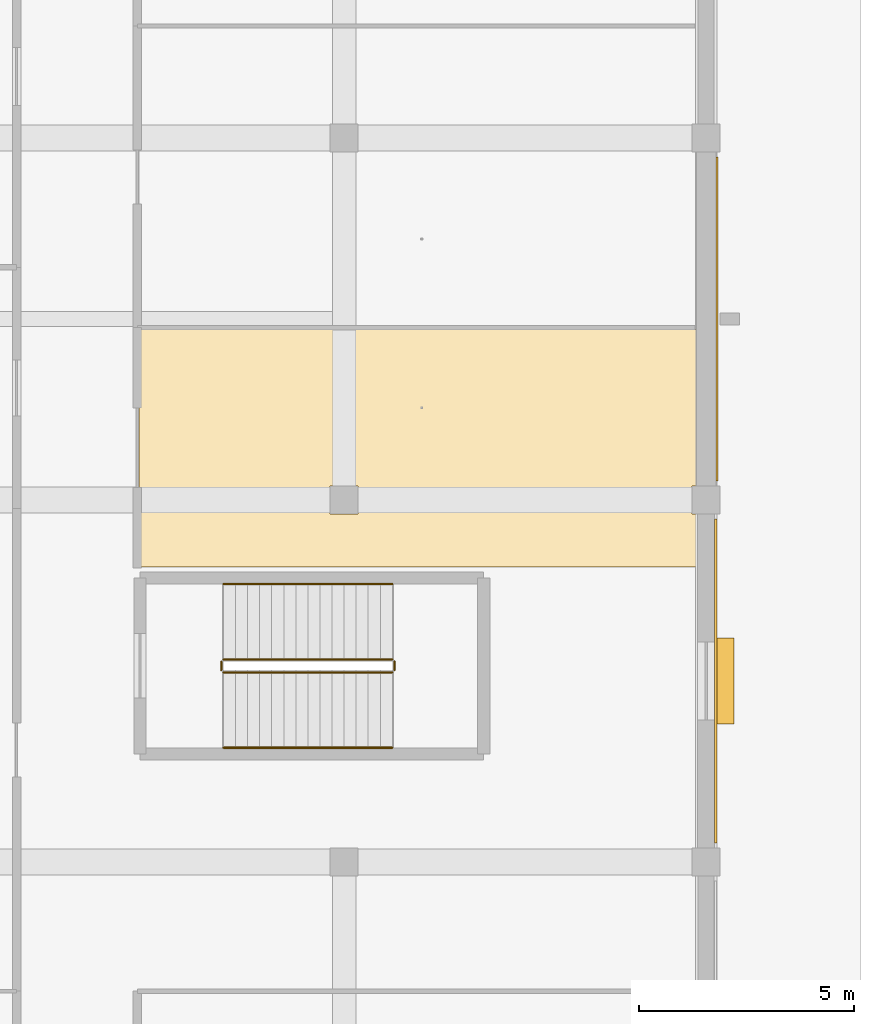
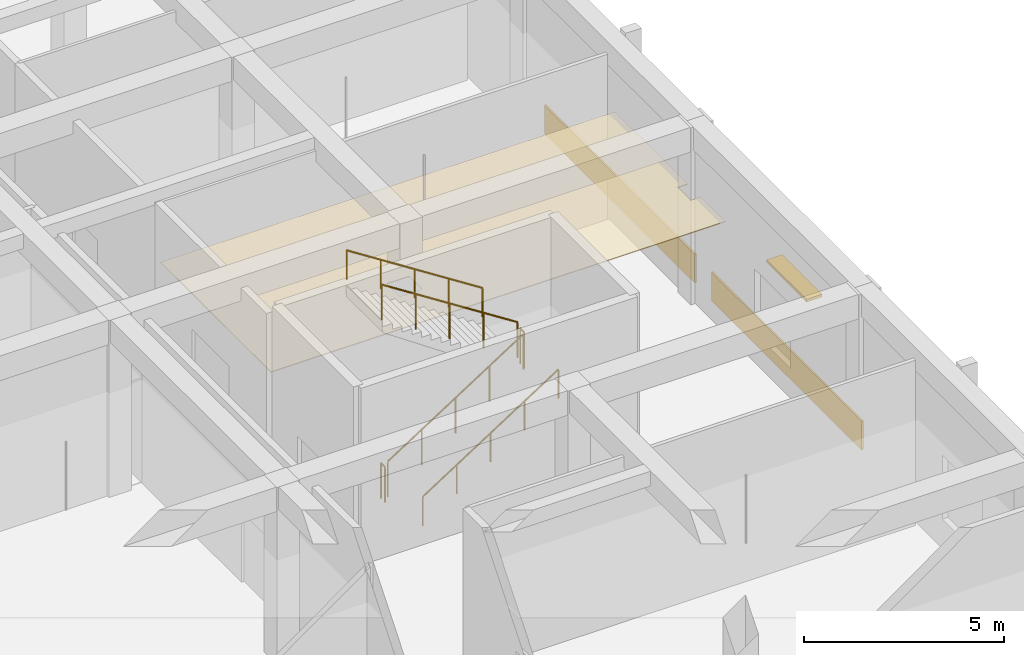
# One storey, part 160 of 167: 6 railings, 3 coverings, 1 shading device.
"""IFC4 building model written with IfcOpenShell, lengths in metres."""

from ifc_helpers import new_model, si_unit, direction, frame, origin, origin_2d, place, context, subcontext, project, spatial, polyline, rectangle, circle, outline, extrude, material, layer, layer_set, type_object, element, save


model = new_model("IFC4")

# Units and contexts
model_context = context("Model", 3, precision=1e-05, world=origin(), true_north=direction((0.0, 1.0)))
body_context = subcontext(model_context, "Body", "Model", "MODEL_VIEW")
ifc_project = project(units=[si_unit("LENGTHUNIT", "METRE"), si_unit("AREAUNIT", "SQUARE_METRE"), si_unit("VOLUMEUNIT", "CUBIC_METRE"), si_unit("PLANEANGLEUNIT", "RADIAN"), si_unit("MASSUNIT", "GRAM", prefix="KILO")], contexts=[model_context])

# Site, building, storey
site_placement = place(None, origin())
site = spatial("IfcSite", under=ifc_project, at=site_placement, CompositionType="ELEMENT")
building_placement = place(site_placement, origin())
building = spatial("IfcBuilding", under=site, at=building_placement, Name="Varncliffe General Hospital", CompositionType="ELEMENT")
storey_placement = place(building_placement, origin())
storey = spatial("IfcBuildingStorey", under=building, at=storey_placement, Name="L00", CompositionType="ELEMENT", Elevation=0.0)

# Covering
ifc_material_1 = material(Name="Hygienic antimicrobial acoustic suspended ceiling tile", Category="gypsum")
ifc_layer_1 = layer(ifc_material_1, 0.02490234375)
ifc_layer_set_1 = layer_set([ifc_layer_1], Name="Hygienic antimicrobial acoustic suspended ceiling tile")
covering_type_1 = type_object("IfcCoveringType", Name="Antimicrobial Acoustic Suspended Ceiling CLG44", PredefinedType="CEILING", material=ifc_layer_set_1)
covering_placement = place(storey_placement, frame((0.0, 0.0, 3.175048828125)))
element("IfcCovering", 1, at=covering_placement, inside=storey, type_object=covering_type_1, Name="L00 Outpatient Consultation and Exam Clinic 101 Suspended Ceiling", PredefinedType="CEILING", context=body_context, shape_type="SweptSolid", body=[
    extrude(outline(polyline([(176.360107421875, 22.43994140625), (163.239990234375, 22.43994140625), (163.239990234375, 27.9599609375), (176.360107421875, 27.9599609375), (176.360107421875, 24.324951171875), (176.074951171875, 24.324951171875), (176.074951171875, 23.675048828125), (176.360107421875, 23.675048828125), (176.360107421875, 22.43994140625)]), holes=[polyline([(168.324951171875, 23.675048828125), (168.324951171875, 24.324951171875), (167.675048828125, 24.324951171875), (167.675048828125, 23.675048828125), (168.324951171875, 23.675048828125)])]), origin(), (0.0, 0.0, 1.0), 0.02490234375),
])

# Shading device
ifc_material_2 = material(Name="Dark bronze extruded aluminium solar jalousie louvres", Category="aluminium")
ifc_layer_2 = layer(ifc_material_2, 0.080078125)
ifc_layer_set_2 = layer_set([ifc_layer_2], Name="Dark bronze extruded aluminium solar jalousie louvres")
shading_device_type = type_object("IfcShadingDeviceType", Name="Bronze Solar Jalousie Louvre Hood SHD18", PredefinedType="JALOUSIE", material=ifc_layer_set_2)
shading_device_placement = place(storey_placement, frame((176.824951171875, 19.800048828125, 2.85986328125), z_axis=(0.0, 0.0, 1.0), x_axis=(0.0, -1.0, 0.0)))
element("IfcShadingDevice", 2, at=shading_device_placement, inside=storey, type_object=shading_device_type, Name="L00 Bronze Window Sun-Shading Louvre 6", PredefinedType="JALOUSIE", context=body_context, shape_type="SweptSolid", body=[
    extrude(rectangle(XDim=2.0, YDim=0.449951171875, at=origin_2d()), origin(), (0.0, 0.0, 1.0), 0.080078125),
])

# Coverings
ifc_material_3 = material(Name="Credit Valley buff limestone ashlar cladding", Category="masonry")
ifc_layer_3 = layer(ifc_material_3, 0.050048828125)
ifc_layer_set_3 = layer_set([ifc_layer_3], Name="Credit Valley buff limestone ashlar cladding")
covering_type_2 = type_object("IfcCoveringType", Name="Credit Valley Limestone Ashlar Plinth Cladding CLD17", PredefinedType="CLADDING", material=ifc_layer_set_3)
for number, where, z_axis, x_axis, name in (
    (3, (176.64990234375, 28.199951171875, 0.010009765625), (0.0, 0.0, 1.0), (0.0, -1.0, 0.0), "L00 Limestone Base Cladding 31"),
    (4, (176.625, 19.800048828125, 0.010009765625), (0.0, 0.0, 1.0), (0.0, -1.0, 0.0), "L00 Limestone Base Cladding 32"),
):
    element("IfcCovering", number, at=place(storey_placement, frame(where, z_axis=z_axis, x_axis=x_axis)), inside=storey, type_object=covering_type_2, Name=name, PredefinedType="CLADDING", context=body_context, shape_type="SweptSolid", body=[
        extrude(rectangle(XDim=7.513916015625, YDim=0.050048828125, at=origin_2d()), origin(), (0.0, 0.0, 1.0), 0.8798828125),
    ])

# Railings
ifc_material_4 = material(Name="Powder-coated hospital steel guardrail and handrail", Category="steel")
railing_type_1 = type_object("IfcRailingType", Name="Stair and Ramp Handrail HR46", PredefinedType="HANDRAIL", material=ifc_material_4)
railing_1_placement = place(storey_placement, frame((165.199951171875, 18.25, 0.364013671875)))
element("IfcRailing", 5, at=railing_1_placement, inside=storey, type_object=railing_type_1, Name="L00 ST11 stair handrail 1", PredefinedType="HANDRAIL", context=body_context, shape_type="SweptSolid", body=[
    extrude(circle(Radius=0.02392578125, at=origin_2d()), frame((0.0, 0.0, 0.8759765625), z_axis=(0.841186985886, 0.0, 0.540744352514), x_axis=(0.0, 1.0, 0.0)), (0.0, 0.0, 1.0), 4.660400390625),
    extrude(circle(Radius=0.02099609375, at=origin_2d()), origin(), (0.0, 0.0, 1.0), 0.851806640625),
    extrude(circle(Radius=0.02099609375, at=origin_2d()), frame((0.97998046875, 0.0, 0.6298828125)), (0.0, 0.0, 1.0), 0.851806640625),
    extrude(circle(Radius=0.02099609375, at=origin_2d()), frame((1.9599609375, 0.0, 1.260009765625)), (0.0, 0.0, 1.0), 0.851806640625),
    extrude(circle(Radius=0.02099609375, at=origin_2d()), frame((2.940185546875, 0.0, 1.89013671875)), (0.0, 0.0, 1.0), 0.851806640625),
    extrude(circle(Radius=0.02099609375, at=origin_2d()), frame((3.920166015625, 0.0, 2.52001953125)), (0.0, 0.0, 1.0), 0.851806640625),
])
railing_2_placement = place(storey_placement, frame((169.1201171875, 22.050048828125, 3.06396484375)))
element("IfcRailing", 6, at=railing_2_placement, inside=storey, type_object=railing_type_1, Name="L00 ST11 stair handrail 2", PredefinedType="HANDRAIL", context=body_context, shape_type="SweptSolid", body=[
    extrude(circle(Radius=0.02392578125, at=origin_2d()), frame((0.0, 0.0, 0.8759765625), z_axis=(-0.841186985886, 0.0, 0.540744352514), x_axis=(0.0, -1.0, 0.0)), (0.0, 0.0, 1.0), 4.660400390625),
    extrude(circle(Radius=0.02099609375, at=origin_2d()), origin(), (0.0, 0.0, 1.0), 0.851806640625),
    extrude(circle(Radius=0.02099609375, at=origin_2d()), frame((-0.97998046875, 0.0, 0.6298828125)), (0.0, 0.0, 1.0), 0.851806640625),
    extrude(circle(Radius=0.02099609375, at=origin_2d()), frame((-1.9599609375, 0.0, 1.260009765625)), (0.0, 0.0, 1.0), 0.851806640625),
    extrude(circle(Radius=0.02099609375, at=origin_2d()), frame((-2.940185546875, 0.0, 1.89013671875)), (0.0, 0.0, 1.0), 0.851806640625),
    extrude(circle(Radius=0.02099609375, at=origin_2d()), frame((-3.920166015625, 0.0, 2.52001953125)), (0.0, 0.0, 1.0), 0.851806640625),
])
railing_type_2 = type_object("IfcRailingType", Name="Stairwell Guardrail SG49", PredefinedType="GUARDRAIL", material=ifc_material_4)
railing_3_placement = place(storey_placement, frame((165.199951171875, 20.0, 0.179931640625)))
element("IfcRailing", 7, at=railing_3_placement, inside=storey, type_object=railing_type_2, Name="L00 ST11 stair guard 1", PredefinedType="GUARDRAIL", context=body_context, shape_type="SweptSolid", body=[
    extrude(circle(Radius=0.02392578125, at=origin_2d()), frame((0.0, 0.0, 1.076171875), z_axis=(0.841186985886, 0.0, 0.540744352514), x_axis=(0.0, 1.0, 0.0)), (0.0, 0.0, 1.0), 4.660400390625),
    extrude(circle(Radius=0.02099609375, at=origin_2d()), origin(), (0.0, 0.0, 1.0), 1.052001953125),
    extrude(circle(Radius=0.02099609375, at=origin_2d()), frame((0.97998046875, 0.0, 0.6298828125)), (0.0, 0.0, 1.0), 1.052001953125),
    extrude(circle(Radius=0.02099609375, at=origin_2d()), frame((1.9599609375, 0.0, 1.260009765625)), (0.0, 0.0, 1.0), 1.052001953125),
    extrude(circle(Radius=0.02099609375, at=origin_2d()), frame((2.940185546875, 0.0, 1.89013671875)), (0.0, 0.0, 1.0), 1.052001953125),
    extrude(circle(Radius=0.02099609375, at=origin_2d()), frame((3.920166015625, 0.0, 2.52001953125)), (0.0, 0.0, 1.0), 1.052001953125),
])
railing_4_placement = place(storey_placement, frame((169.169921875, 20.050048828125, 2.699951171875)))
element("IfcRailing", 8, at=railing_4_placement, inside=storey, type_object=railing_type_2, Name="L00 ST11 stair guard 2", PredefinedType="GUARDRAIL", context=body_context, shape_type="SweptSolid", body=[
    extrude(circle(Radius=0.02392578125, at=origin_2d()), frame((0.0, 0.0, 1.076171875), z_axis=(0.0, 1.0, 0.0), x_axis=(-1.0, 0.0, 0.0)), (0.0, 0.0, 1.0), 0.199951171875),
    extrude(circle(Radius=0.02099609375, at=origin_2d()), origin(), (0.0, 0.0, 1.0), 1.052001953125),
    extrude(circle(Radius=0.02099609375, at=origin_2d()), frame((0.0, 0.199951171875, 0.0)), (0.0, 0.0, 1.0), 1.052001953125),
])
railing_5_placement = place(storey_placement, frame((169.1201171875, 20.300048828125, 2.8798828125)))
element("IfcRailing", 9, at=railing_5_placement, inside=storey, type_object=railing_type_2, Name="L00 ST11 stair guard 3", PredefinedType="GUARDRAIL", context=body_context, shape_type="SweptSolid", body=[
    extrude(circle(Radius=0.02392578125, at=origin_2d()), frame((0.0, 0.0, 1.076171875), z_axis=(-0.841186985886, 0.0, 0.540744352514), x_axis=(0.0, -1.0, 0.0)), (0.0, 0.0, 1.0), 4.660400390625),
    extrude(circle(Radius=0.02099609375, at=origin_2d()), origin(), (0.0, 0.0, 1.0), 1.052001953125),
    extrude(circle(Radius=0.02099609375, at=origin_2d()), frame((-0.97998046875, 0.0, 0.6298828125)), (0.0, 0.0, 1.0), 1.052001953125),
    extrude(circle(Radius=0.02099609375, at=origin_2d()), frame((-1.9599609375, 0.0, 1.260009765625)), (0.0, 0.0, 1.0), 1.052001953125),
    extrude(circle(Radius=0.02099609375, at=origin_2d()), frame((-2.940185546875, 0.0, 1.89013671875)), (0.0, 0.0, 1.0), 1.052001953125),
    extrude(circle(Radius=0.02099609375, at=origin_2d()), frame((-3.920166015625, 0.0, 2.52001953125)), (0.0, 0.0, 1.0), 1.052001953125),
])
railing_6_placement = place(storey_placement, frame((165.14990234375, 20.050048828125, 0.0)))
element("IfcRailing", 10, at=railing_6_placement, inside=storey, type_object=railing_type_2, Name="L00 ST11 stair guard 4", PredefinedType="GUARDRAIL", context=body_context, shape_type="SweptSolid", body=[
    extrude(circle(Radius=0.02392578125, at=origin_2d()), frame((0.0, 0.0, 1.076171875), z_axis=(0.0, 1.0, 0.0), x_axis=(-1.0, 0.0, 0.0)), (0.0, 0.0, 1.0), 0.199951171875),
    extrude(circle(Radius=0.02099609375, at=origin_2d()), origin(), (0.0, 0.0, 1.0), 1.052001953125),
    extrude(circle(Radius=0.02099609375, at=origin_2d()), frame((0.0, 0.199951171875, 0.0)), (0.0, 0.0, 1.0), 1.052001953125),
])

save(model, "model.ifc")
